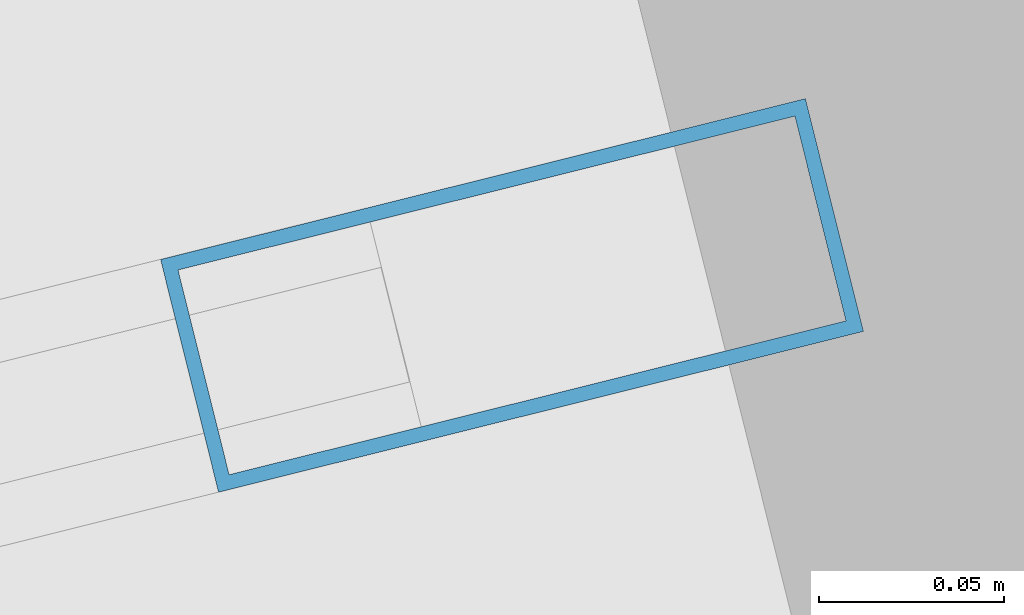
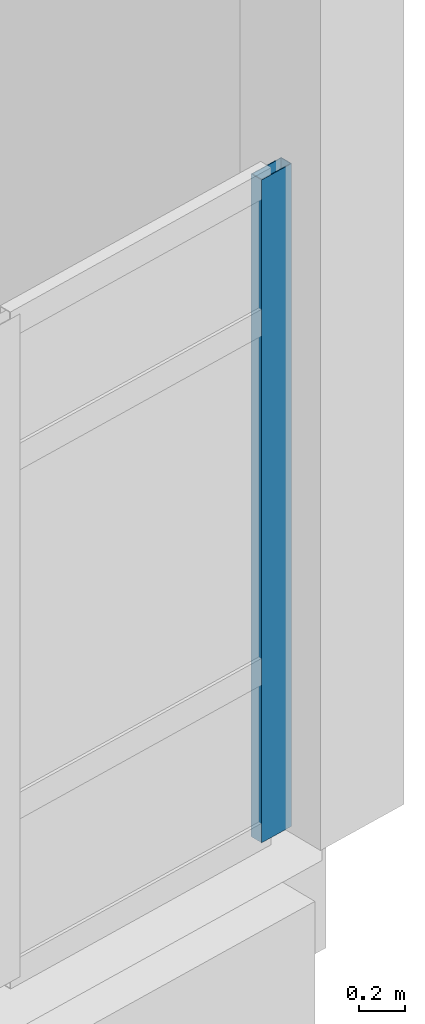
# One storey, part 114 of 164: 1 member, 1 element without a shape of its own.
"""IFC4 building model written with IfcOpenShell, lengths in metres."""

import ifcopenshell
import ifcopenshell.guid

model = None  # the IFC model being written
_history = None  # IfcOwnerHistory: only IFC2X3 demands one
_inside = {}  # id of a spatial element -> (the spatial element, [elements in it])
_under = {}  # id of a project, library or spatial element -> (it, [spatial elements below it])
_declared = {}  # id of a project -> (the project, [libraries it declares])
_typed = {}  # id of a type object -> (the type object, [elements of that type])
_made_of = {}  # id of a material, layer set ... -> (it, [elements and type objects made of it])


def new_model(schema):
    """Start an empty IFC model of exactly this schema.

    Asked for "IFC4X3", IfcOpenShell would pick the latest addendum, in which some entities
    have other attributes; the version numbers below select the first issue.
    IFC2X3 requires an IfcOwnerHistory on every rooted entity: one is made here for all.
    """
    global model, _history
    if schema == "IFC4X3":
        model = ifcopenshell.file(schema_version=(4, 3, 0, 0))
    else:
        model = ifcopenshell.file(schema=schema)
    _inside.clear()
    _under.clear()
    _declared.clear()
    _typed.clear()
    _made_of.clear()
    _history = None
    if model.schema == "IFC2X3":
        org = make("IfcOrganization", Name="unknown")
        user = make(
            "IfcPersonAndOrganization",
            ThePerson=make("IfcPerson", FamilyName="unknown"),
            TheOrganization=org,
        )
        app = make(
            "IfcApplication",
            ApplicationDeveloper=org,
            Version="unknown",
            ApplicationFullName="unknown",
            ApplicationIdentifier="unknown",
        )
        _history = make(
            "IfcOwnerHistory",
            OwningUser=user,
            OwningApplication=app,
            ChangeAction="ADDED",
            CreationDate=0,
        )
    return model


def make(cls, **values):
    """One entity of the class cls with the attributes given. An attribute that is None is left unset."""
    return model.create_entity(
        cls, **{name: value for name, value in values.items() if value is not None}
    )


def rooted(cls, **values):
    """An entity with a GlobalId (a new one), such as an element, a storey or a relation."""
    return make(cls, GlobalId=ifcopenshell.guid.new(), OwnerHistory=_history, **values)


def si_unit(unit_type, name, prefix=None):
    """IfcSIUnit, for example si_unit("LENGTHUNIT", "METRE", prefix="MILLI")."""
    return make("IfcSIUnit", UnitType=unit_type, Prefix=prefix, Name=name)


def assignment(units):
    """IfcUnitAssignment: the units of a project."""
    return None if units is None else make("IfcUnitAssignment", Units=units)


def point(xyz):
    """IfcCartesianPoint."""
    return None if xyz is None else make("IfcCartesianPoint", Coordinates=xyz)


def direction(xyz):
    """IfcDirection."""
    return None if xyz is None else make("IfcDirection", DirectionRatios=xyz)


def frame(location, z_axis=None, x_axis=None):
    """IfcAxis2Placement3D, a coordinate frame: its origin and axes. An axis left out is left unset."""
    return make(
        "IfcAxis2Placement3D",
        Location=point(location),
        Axis=direction(z_axis),
        RefDirection=direction(x_axis),
    )


def frame_2d(location, x_axis=None):
    """IfcAxis2Placement2D, a coordinate frame in the plane: its origin and x axis."""
    return make(
        "IfcAxis2Placement2D", Location=point(location), RefDirection=direction(x_axis)
    )


def origin():
    """The frame at (0, 0, 0) with its axes left unset."""
    return frame((0.0, 0.0, 0.0))


def origin_2d():
    """The frame at (0, 0) in the plane with its x axis left unset."""
    return frame_2d((0.0, 0.0))


def place(relative_to, where):
    """IfcLocalPlacement: puts the frame where relative to a parent placement (None: the world)."""
    return make(
        "IfcLocalPlacement", PlacementRelTo=relative_to, RelativePlacement=where
    )


def context(
    kind, dimensions, precision=None, world=None, true_north=None, identifier=None
):
    """IfcGeometricRepresentationContext, for example the 3D "Model" context."""
    return make(
        "IfcGeometricRepresentationContext",
        ContextIdentifier=identifier,
        ContextType=kind,
        CoordinateSpaceDimension=dimensions,
        Precision=precision,
        WorldCoordinateSystem=world,
        TrueNorth=true_north,
    )


def subcontext(parent, identifier, kind, view, scale=None):
    """IfcGeometricRepresentationSubContext, for example "Body" below "Model"."""
    return make(
        "IfcGeometricRepresentationSubContext",
        ContextIdentifier=identifier,
        ContextType=kind,
        ParentContext=parent,
        TargetScale=scale,
        TargetView=view,
    )


def project(units=None, contexts=None):
    """IfcProject with its units and contexts."""
    return rooted(
        "IfcProject",
        Name="project",
        RepresentationContexts=contexts,
        UnitsInContext=assignment(units),
    )


def spatial(cls, under=None, at=None, **own):
    """A site, building, storey or space (cls), placed at a placement, below another one or the project."""
    s = rooted(cls, ObjectPlacement=at, **own)
    if under is not None:
        _under.setdefault(under.id(), (under, []))[1].append(s)
    return s


def profile(cls, at=None, kind="AREA", **sizes):
    """A parametric profile (cls). Its sizes go by their IFC names, for example OverallWidth=200.0."""
    return make(cls, ProfileType=kind, Position=at, **sizes)


def hollow_rectangle(**sizes):
    """IfcRectangleHollowProfileDef."""
    return profile("IfcRectangleHollowProfileDef", **sizes)


def extrude(swept, where, along, depth):
    """IfcExtrudedAreaSolid: the profile swept, set in the frame where, extruded along a direction by depth."""
    return make(
        "IfcExtrudedAreaSolid",
        SweptArea=swept,
        Position=where,
        ExtrudedDirection=direction(along),
        Depth=depth,
    )


def shape(context_of_items, identifier, shape_type, items):
    """IfcShapeRepresentation: the items that make up one representation, for example the "Body"."""
    return make(
        "IfcShapeRepresentation",
        ContextOfItems=context_of_items,
        RepresentationIdentifier=identifier,
        RepresentationType=shape_type,
        Items=items,
    )


def material(Name=None, Category=None):
    """IfcMaterial."""
    return make("IfcMaterial", Name=Name, Category=Category)


def layer(
    of_material, thickness, ventilated=None, Name=None, Category=None, Priority=None
):
    """IfcMaterialLayer: one layer of a wall or slab, of a material (None: an air gap)."""
    return make(
        "IfcMaterialLayer",
        Material=of_material,
        LayerThickness=thickness,
        IsVentilated=ventilated,
        Name=Name,
        Category=Category,
        Priority=Priority,
    )


def layer_set(layers, Name=None):
    """IfcMaterialLayerSet."""
    return make("IfcMaterialLayerSet", MaterialLayers=layers, LayerSetName=Name)


def material_profile(
    of_material, cross_section, Name=None, Category=None, Priority=None
):
    """IfcMaterialProfile: a cross section and its material."""
    return make(
        "IfcMaterialProfile",
        Name=Name,
        Material=of_material,
        Profile=cross_section,
        Priority=Priority,
        Category=Category,
    )


def profile_set(profiles, Name=None, composite=None):
    """IfcMaterialProfileSet."""
    return make(
        "IfcMaterialProfileSet",
        Name=Name,
        MaterialProfiles=profiles,
        CompositeProfile=composite,
    )


def made_of(thing, what):
    """Note that an element or type object is made of a material, layer set ...; save() writes the relation."""
    if what is not None:
        _made_of.setdefault(what.id(), (what, []))[1].append(thing)
    return thing


def type_object(cls, material=None, **own):
    """A type object (cls), such as IfcWallType, which elements share."""
    return made_of(rooted(cls, **own), material)


def element(
    cls,
    number,
    at=None,
    inside=None,
    cuts=None,
    type_object=None,
    material=None,
    context=None,
    identifier="Body",
    shape_type=None,
    held_by="IfcProductDefinitionShape",
    body=None,
    shapes=None,
    **own,
):
    """One element of the class cls, such as IfcWall. Its Tag is "e" and its number.

    at: its placement. inside: the storey or other place that contains it. cuts: it is an
    opening in that element (IfcRelVoidsElement). A single representation is given by context,
    identifier, shape_type and body (its items); several are given by shapes. held_by: the class
    of the entity that holds the representations. save() writes the other relations.
    """
    e = rooted(cls, Tag="e%d" % number, ObjectPlacement=at, **own)
    if body is not None:
        shapes = [shape(context, identifier, shape_type, body)]
    if shapes is not None:
        e.Representation = make(held_by, Representations=shapes)
    if inside is not None:
        _inside.setdefault(inside.id(), (inside, []))[1].append(e)
    if cuts is not None:
        rooted(
            "IfcRelVoidsElement", RelatingBuildingElement=cuts, RelatedOpeningElement=e
        )
    if type_object is not None:
        _typed.setdefault(type_object.id(), (type_object, []))[1].append(e)
    return made_of(e, material)


def aggregate(whole, parts):
    """IfcRelAggregates: a whole, such as a stair, and the parts it consists of."""
    return rooted("IfcRelAggregates", RelatingObject=whole, RelatedObjects=parts)


def save(model, path):
    """Write the relations noted so far, then the file.

    IfcRelAggregates (storeys below a building ...), IfcRelContainedInSpatialStructure (elements
    in a storey), IfcRelDefinesByType, IfcRelAssociatesMaterial and IfcRelDeclares: one each for
    every whole, place, type object, material and project.
    """
    for whole, parts in _under.values():
        aggregate(whole, parts)
    for where, things in _inside.values():
        rooted(
            "IfcRelContainedInSpatialStructure",
            RelatedElements=things,
            RelatingStructure=where,
        )
    for kind, things in _typed.values():
        rooted("IfcRelDefinesByType", RelatedObjects=things, RelatingType=kind)
    for what, things in _made_of.values():
        rooted("IfcRelAssociatesMaterial", RelatedObjects=things, RelatingMaterial=what)
    for by, libraries in _declared.values():
        rooted("IfcRelDeclares", RelatingContext=by, RelatedDefinitions=libraries)
    model.write(path)


model = new_model("IFC4")

# Units and contexts
model_context = context("Model", 3, precision=1e-05, world=origin(), true_north=direction((0.0, 1.0)))
body_context = subcontext(model_context, "Body", "Model", "MODEL_VIEW")
ifc_project = project(units=[si_unit("LENGTHUNIT", "METRE"), si_unit("AREAUNIT", "SQUARE_METRE"), si_unit("VOLUMEUNIT", "CUBIC_METRE"), si_unit("PLANEANGLEUNIT", "RADIAN"), si_unit("MASSUNIT", "GRAM", prefix="KILO")], contexts=[model_context])

# Site, building, storey
site_placement = place(None, origin())
site = spatial("IfcSite", under=ifc_project, at=site_placement, CompositionType="ELEMENT")
building_placement = place(site_placement, origin())
building = spatial("IfcBuilding", under=site, at=building_placement, Name="Mawjan Specialist Oncology Clinic", CompositionType="ELEMENT")
storey_placement = place(building_placement, frame((0.0, 0.0, 5.0)))
storey = spatial("IfcBuildingStorey", under=building, at=storey_placement, Name="L01", CompositionType="ELEMENT", Elevation=5.0)

# Curtain wall, member
ifc_material_1 = material(Name="Unitised spectrally selective aluminium curtain wall", Category="aluminium")
ifc_layer = layer(ifc_material_1, 0.179931640625, Name="Unitised spectrally selective aluminium curtain wall", Category="aluminium")
ifc_layer_set = layer_set([ifc_layer], Name="Unitised spectrally selective aluminium curtain wall")
curtain_wall_type = type_object("IfcCurtainWallType", Name="CW-43", PredefinedType="NOTDEFINED", material=ifc_layer_set)
curtain_wall_placement = place(storey_placement, origin())
curtain_wall = element("IfcCurtainWall", 1, at=curtain_wall_placement, inside=storey, type_object=curtain_wall_type, Name="L01 Unitised Curtain Wall CW-L01-087", PredefinedType="NOTDEFINED")
ifc_material_2 = material(Name="Thermally broken aluminium 6063-T6", Category="aluminium")
ifc_material_profile = material_profile(ifc_material_2, hollow_rectangle(XDim=0.06494140625, YDim=0.179931640625, WallThickness=0.00390625, at=origin_2d()), Name="ALU MULLION 180x65x4", Category="aluminium")
ifc_profile_set = profile_set([ifc_material_profile], Name="Thermally broken aluminium 6063-T6")
member_type = type_object("IfcMemberType", Name="CW-M180", PredefinedType="MULLION", material=ifc_profile_set)
member_placement = place(storey_placement, frame((160.63720703125, 9.43603515625, 0.0), z_axis=(0.0, 0.0, 1.0), x_axis=(0.241922074178, -0.970295681751, 0.0)))
member = element("IfcMember", 2, at=member_placement, type_object=member_type, Name="CW-43 mullion 1", PredefinedType="MULLION", context=body_context, shape_type="SweptSolid", body=[
    extrude(hollow_rectangle(XDim=0.06494140625, YDim=0.179931640625, WallThickness=0.00390625, at=origin_2d()), origin(), (0.0, 0.0, 1.0), 3.485107421875),
])
aggregate(curtain_wall, [member])

save(model, "model.ifc")
